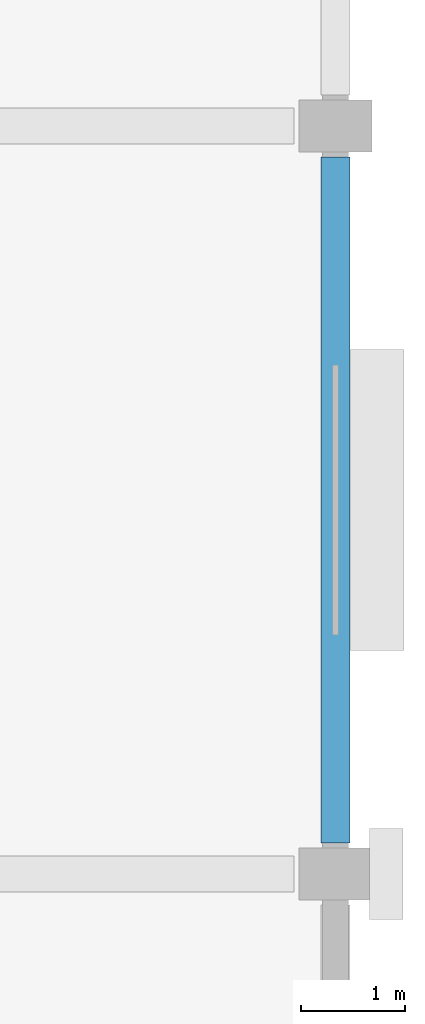
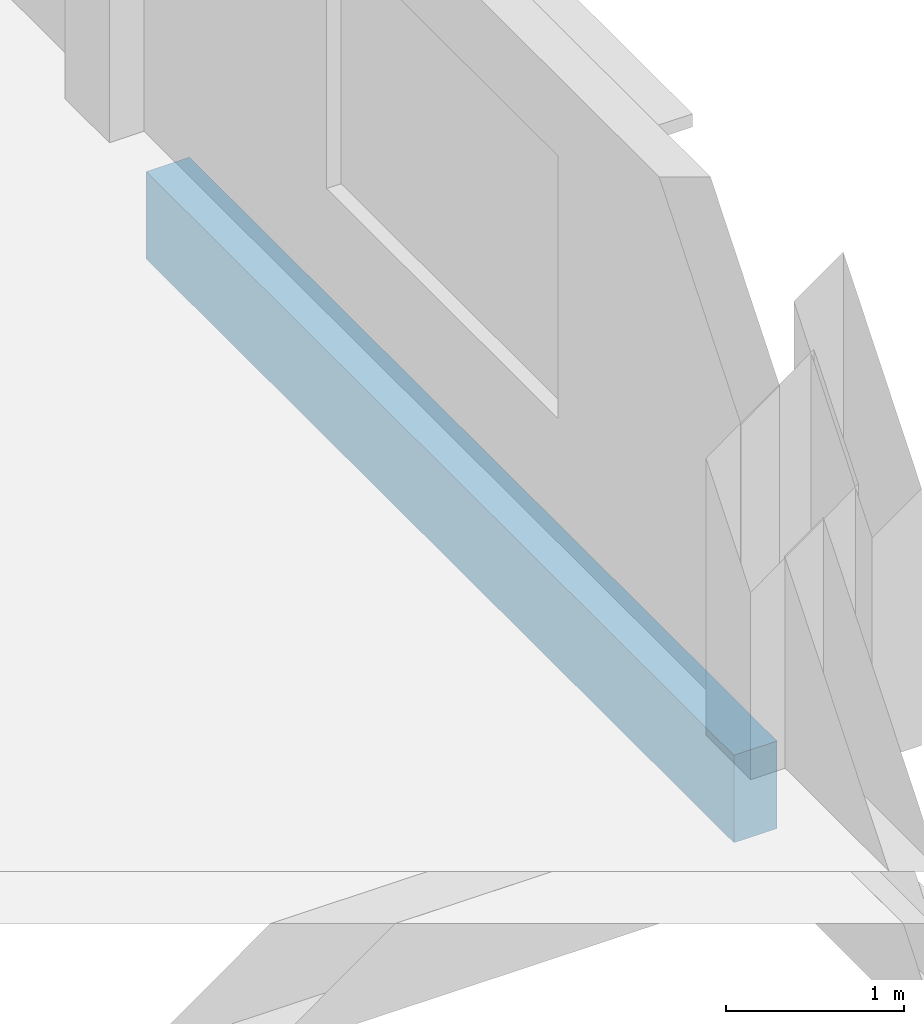
# One storey, part 48 of 91: 1 beam.
"""IFC4 building model written with IfcOpenShell, lengths in metres."""

from ifc_helpers import new_model, si_unit, direction, frame, origin, origin_2d, place, context, subcontext, project, spatial, rectangle, extrude, material, material_profile, profile_set, type_object, element, save


model = new_model("IFC4")

# Units and contexts
model_context = context("Model", 3, precision=1e-05, world=origin(), true_north=direction((0.0, 1.0)))
body_context = subcontext(model_context, "Body", "Model", "MODEL_VIEW")
ifc_project = project(units=[si_unit("LENGTHUNIT", "METRE"), si_unit("AREAUNIT", "SQUARE_METRE"), si_unit("VOLUMEUNIT", "CUBIC_METRE"), si_unit("PLANEANGLEUNIT", "RADIAN"), si_unit("MASSUNIT", "GRAM", prefix="KILO")], contexts=[model_context])

# Site, building, storey
site_placement = place(None, origin())
site = spatial("IfcSite", under=ifc_project, at=site_placement, CompositionType="ELEMENT")
building_placement = place(site_placement, origin())
building = spatial("IfcBuilding", under=site, at=building_placement, Name="Kangsadwip Square Police Headquarters", CompositionType="ELEMENT")
storey_placement = place(building_placement, frame((0.0, 0.0, 13.5)))
storey = spatial("IfcBuildingStorey", under=building, at=storey_placement, Name="L03", CompositionType="ELEMENT", Elevation=13.5)

# Beam
ifc_material = material(Name="Concrete M40 (40 MPa)", Category="concrete")
ifc_material_profile = material_profile(ifc_material, rectangle(XDim=0.280029296875, YDim=0.60009765625, at=origin_2d()), Name="RC SPN 600X280")
ifc_profile_set = profile_set([ifc_material_profile], Name="Concrete M40 (40 MPa)")
beam_type = type_object("IfcBeamType", Name="RcSpandrel600x280", PredefinedType="SPANDREL", material=ifc_profile_set)
beam_placement = place(storey_placement, frame((165.60009765625, 79.5, -0.5400390625), z_axis=(0.0, 1.0, 0.0), x_axis=(-1.0, 0.0, 0.0)))
element("IfcBeam", 1, at=beam_placement, inside=storey, type_object=beam_type, Name="Beam BM-L03-Y-23-11", PredefinedType="SPANDREL", context=body_context, shape_type="SweptSolid", body=[
    extrude(rectangle(XDim=0.280029296875, YDim=0.60009765625, at=origin_2d()), origin(), (0.0, 0.0, 1.0), 6.60009765625),
])

save(model, "model.ifc")
